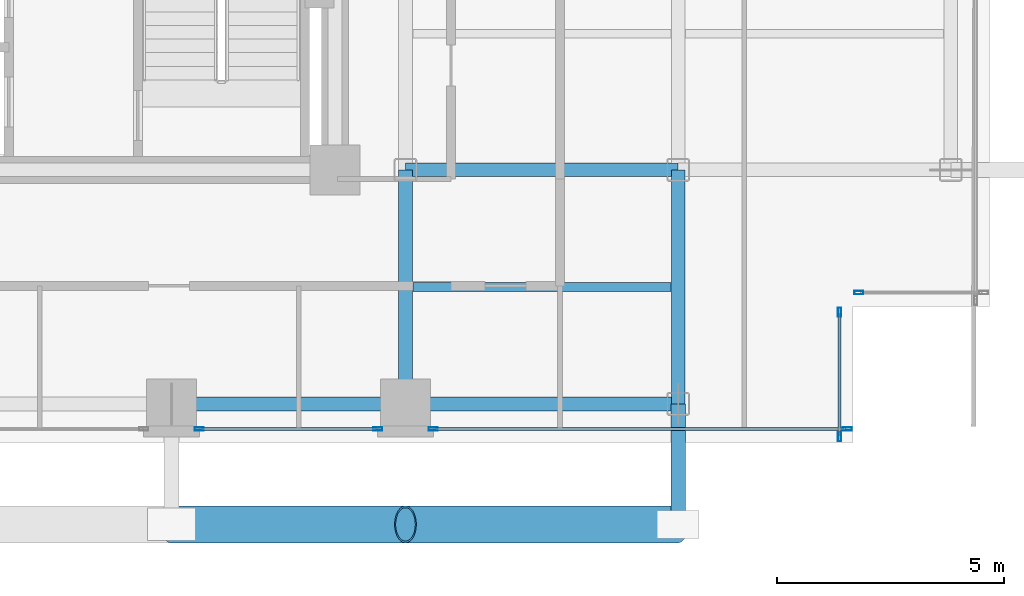
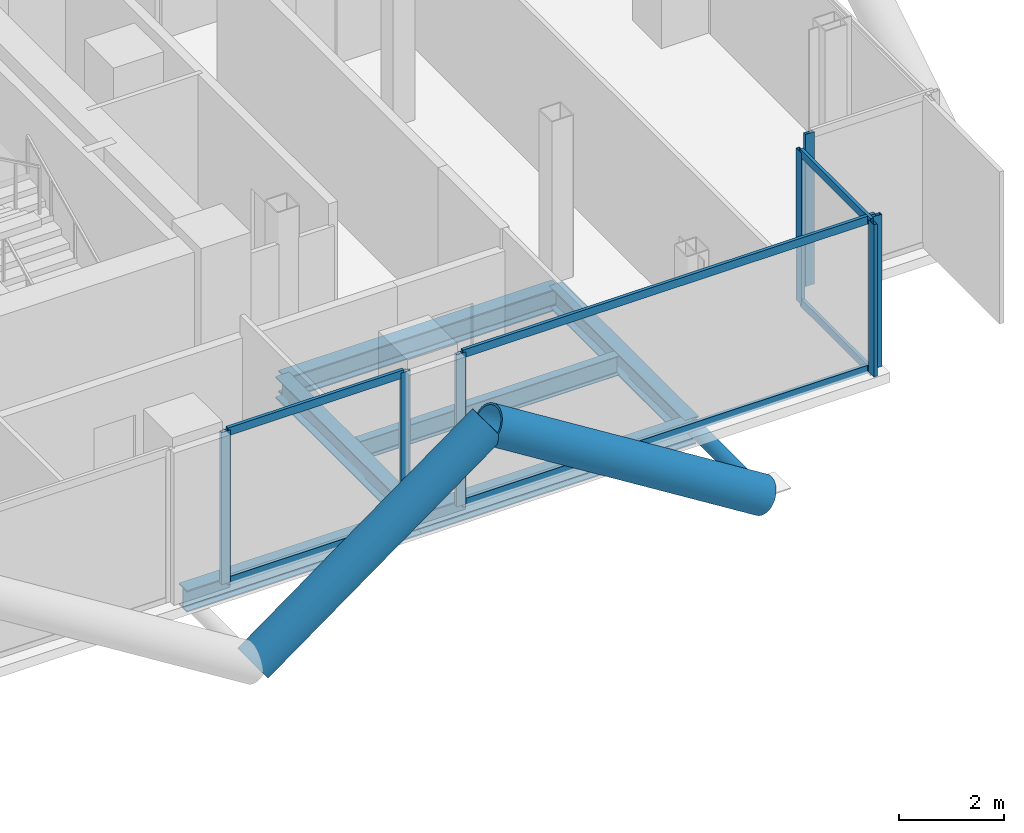
# One storey, part 9 of 24: 16 members, 6 beams, 4 elements without a shape of their own.
"""IFC4 building model written with IfcOpenShell, lengths in metres."""

from ifc_helpers import new_model, si_unit, direction, frame, origin, origin_2d, place, context, subcontext, project, spatial, hollow_rectangle, hollow_circle, i_section, extrude, material, layer, layer_set, material_profile, profile_set, type_object, element, aggregate, save


model = new_model("IFC4")

# Units and contexts
model_context = context("Model", 3, precision=1e-05, world=origin(), true_north=direction((0.0, 1.0)))
body_context = subcontext(model_context, "Body", "Model", "MODEL_VIEW")
ifc_project = project(units=[si_unit("LENGTHUNIT", "METRE"), si_unit("AREAUNIT", "SQUARE_METRE"), si_unit("VOLUMEUNIT", "CUBIC_METRE"), si_unit("PLANEANGLEUNIT", "RADIAN"), si_unit("MASSUNIT", "GRAM", prefix="KILO"), si_unit("THERMODYNAMICTEMPERATUREUNIT", "KELVIN"), si_unit("POWERUNIT", "WATT")], contexts=[model_context])

# Site, building, storey
site_placement = place(None, origin())
site = spatial("IfcSite", under=ifc_project, at=site_placement, CompositionType="ELEMENT")
building_placement = place(site_placement, origin())
building = spatial("IfcBuilding", under=site, at=building_placement, Name="Svarakhadi Broadcast Tower", CompositionType="ELEMENT")
storey_placement = place(building_placement, frame((0.0, 0.0, 141.89990234375)))
storey = spatial("IfcBuildingStorey", under=building, at=storey_placement, Name="L34", CompositionType="ELEMENT", Elevation=141.89990234375)

# Beam
ifc_material_1 = material(Name="Steel S355J2 (IS 2062 E350C)", Category="steel")
ifc_material_profile_1 = material_profile(ifc_material_1, i_section(OverallWidth=0.18994140625, OverallDepth=0.449951171875, WebThickness=0.009521484375, FlangeThickness=0.0146484375, FilletRadius=0.02099609375, at=origin_2d()), Name="NPB 450x190x78")
ifc_profile_set_1 = profile_set([ifc_material_profile_1], Name="Steel S355J2 (IS 2062 E350C)")
beam_type_1 = type_object("IfcBeamType", Name="Beam_NPB450", PredefinedType="BEAM", material=ifc_profile_set_1)
beam_1_placement = place(storey_placement, frame((35.31005859375, 3.425048828125, -0.449951171875), z_axis=(1.0, 0.0, 0.0), x_axis=(0.0, 1.0, 0.0)))
element("IfcBeam", 1, at=beam_1_placement, inside=storey, type_object=beam_type_1, Name="L34 Secondary Composite Beam SB019", PredefinedType="BEAM", context=body_context, shape_type="SweptSolid", body=[
    extrude(i_section(OverallWidth=0.18994140625, OverallDepth=0.449951171875, WebThickness=0.009521484375, FlangeThickness=0.0146484375, FilletRadius=0.02099609375, at=origin_2d()), origin(), (0.0, 0.0, 1.0), 5.679931640625),
])

# Curtain wall, member
ifc_material_2 = material(Name="Anodised Bronze Aluminium AA 6063-T6", Category="aluminium")
ifc_layer = layer(ifc_material_2, 0.199951171875)
ifc_layer_set = layer_set([ifc_layer], Name="Anodised Bronze Aluminium AA 6063-T6")
curtain_wall_type = type_object("IfcCurtainWallType", Name="CW_Sys_03", PredefinedType="NOTDEFINED", material=ifc_layer_set)
curtain_wall_1_placement = place(storey_placement, origin())
curtain_wall_1 = element("IfcCurtainWall", 2, at=curtain_wall_1_placement, inside=storey, type_object=curtain_wall_type, Name="L34 Unitised Facade Curtain Wall 14", PredefinedType="NOTDEFINED")
ifc_material_profile_2 = material_profile(ifc_material_2, hollow_rectangle(XDim=0.074951171875, YDim=0.199951171875, WallThickness=0.005615234375, at=origin_2d()), Name="ALU MULLION 200x75x6")
ifc_profile_set_2 = profile_set([ifc_material_profile_2], Name="Anodised Bronze Aluminium AA 6063-T6")
member_type_1 = type_object("IfcMemberType", Name="CW_Sys_03_Mul", PredefinedType="MULLION", material=ifc_profile_set_2)
member_1_placement = place(storey_placement, frame((45.12744140625, 3.300048828125, 0.0), z_axis=(0.0, 0.0, 1.0), x_axis=(0.0, -1.0, 0.0)))
member_1 = element("IfcMember", 3, at=member_1_placement, type_object=member_type_1, Name="CW-03 mullion 2", PredefinedType="MULLION", context=body_context, shape_type="SweptSolid", body=[
    extrude(hollow_rectangle(XDim=0.074951171875, YDim=0.199951171875, WallThickness=0.005615234375, at=origin_2d()), origin(), (0.0, 0.0, 1.0), 3.525146484375),
])
aggregate(curtain_wall_1, [member_1])

# Curtain wall, members
curtain_wall_2_placement = place(storey_placement, origin())
curtain_wall_2 = element("IfcCurtainWall", 4, at=curtain_wall_2_placement, inside=storey, type_object=curtain_wall_type, Name="L34 Unitised Facade Curtain Wall 15", PredefinedType="NOTDEFINED")
member_2_placement = place(storey_placement, frame((44.699951171875, 2.87255859375, 0.0), z_axis=(0.0, 0.0, 1.0), x_axis=(1.0, 0.0, 0.0)))
member_2 = element("IfcMember", 5, at=member_2_placement, type_object=member_type_1, Name="CW-03 mullion 1", PredefinedType="MULLION", context=body_context, shape_type="SweptSolid", body=[
    extrude(hollow_rectangle(XDim=0.074951171875, YDim=0.199951171875, WallThickness=0.005615234375, at=origin_2d()), origin(), (0.0, 0.0, 1.0), 3.525146484375),
])
member_3_placement = place(storey_placement, frame((44.699951171875, 0.12744140625, 0.0), z_axis=(0.0, 0.0, 1.0), x_axis=(1.0, 0.0, 0.0)))
member_3 = element("IfcMember", 6, at=member_3_placement, type_object=member_type_1, Name="CW-03 mullion 2", PredefinedType="MULLION", context=body_context, shape_type="SweptSolid", body=[
    extrude(hollow_rectangle(XDim=0.074951171875, YDim=0.199951171875, WallThickness=0.005615234375, at=origin_2d()), origin(), (0.0, 0.0, 1.0), 3.525146484375),
])

curtain_wall_3_placement = place(storey_placement, origin())
curtain_wall_3 = element("IfcCurtainWall", 7, at=curtain_wall_3_placement, inside=storey, type_object=curtain_wall_type, Name="L34 South Curtain Wall 16 Bay 1", PredefinedType="NOTDEFINED")
member_4_placement = place(storey_placement, frame((44.87255859375, 0.300048828125, 0.0), z_axis=(0.0, 0.0, 1.0), x_axis=(0.0, -1.0, 0.0)))
member_4 = element("IfcMember", 8, at=member_4_placement, type_object=member_type_1, Name="CW-03 mullion 1", PredefinedType="MULLION", context=body_context, shape_type="SweptSolid", body=[
    extrude(hollow_rectangle(XDim=0.074951171875, YDim=0.199951171875, WallThickness=0.005615234375, at=origin_2d()), origin(), (0.0, 0.0, 1.0), 3.525146484375),
])
member_5_placement = place(storey_placement, frame((35.757568359375, 0.300048828125, 0.0), z_axis=(0.0, 0.0, 1.0), x_axis=(0.0, -1.0, 0.0)))
member_5 = element("IfcMember", 9, at=member_5_placement, type_object=member_type_1, Name="CW-03 mullion 2", PredefinedType="MULLION", context=body_context, shape_type="SweptSolid", body=[
    extrude(hollow_rectangle(XDim=0.074951171875, YDim=0.199951171875, WallThickness=0.005615234375, at=origin_2d()), origin(), (0.0, 0.0, 1.0), 3.525146484375),
])

curtain_wall_4_placement = place(storey_placement, origin())
curtain_wall_4 = element("IfcCurtainWall", 10, at=curtain_wall_4_placement, inside=storey, type_object=curtain_wall_type, Name="L34 South Curtain Wall 16 Bay 2", PredefinedType="NOTDEFINED")
member_6_placement = place(storey_placement, frame((34.54248046875, 0.300048828125, 0.0), z_axis=(0.0, 0.0, 1.0), x_axis=(0.0, -1.0, 0.0)))
member_6 = element("IfcMember", 11, at=member_6_placement, type_object=member_type_1, Name="CW-03 mullion 1", PredefinedType="MULLION", context=body_context, shape_type="SweptSolid", body=[
    extrude(hollow_rectangle(XDim=0.074951171875, YDim=0.199951171875, WallThickness=0.005615234375, at=origin_2d()), origin(), (0.0, 0.0, 1.0), 3.525146484375),
])
member_7_placement = place(storey_placement, frame((30.607421875, 0.300048828125, 0.0), z_axis=(0.0, 0.0, 1.0), x_axis=(0.0, -1.0, 0.0)))
member_7 = element("IfcMember", 12, at=member_7_placement, type_object=member_type_1, Name="CW-03 mullion 2", PredefinedType="MULLION", context=body_context, shape_type="SweptSolid", body=[
    extrude(hollow_rectangle(XDim=0.074951171875, YDim=0.199951171875, WallThickness=0.005615234375, at=origin_2d()), origin(), (0.0, 0.0, 1.0), 3.525146484375),
])

# Member
ifc_material_profile_3 = material_profile(ifc_material_2, hollow_rectangle(XDim=0.070068359375, YDim=0.18505859375, WallThickness=0.0048828125, at=origin_2d()), Name="ALU TRANSOM 185x70x5")
ifc_profile_set_3 = profile_set([ifc_material_profile_3], Name="Anodised Bronze Aluminium AA 6063-T6")
member_type_2 = type_object("IfcMemberType", Name="CW_Sys_03_Trn", PredefinedType="USERDEFINED", material=ifc_profile_set_3)
member_8_placement = place(storey_placement, frame((44.699951171875, 2.8349609375, 0.03515625), z_axis=(0.0, -1.0, 0.0), x_axis=(1.0, 0.0, 0.0)))
member_8 = element("IfcMember", 13, at=member_8_placement, type_object=member_type_2, Name="CW-03 transom 1.1", ObjectType="TRANSOM", PredefinedType="USERDEFINED", context=body_context, shape_type="SweptSolid", body=[
    extrude(hollow_rectangle(XDim=0.070068359375, YDim=0.18505859375, WallThickness=0.0048828125, at=origin_2d()), origin(), (0.0, 0.0, 1.0), 2.669921875),
])

member_9_placement = place(storey_placement, frame((44.699951171875, 2.8349609375, 3.489990234375), z_axis=(0.0, -1.0, 0.0), x_axis=(1.0, 0.0, 0.0)))
member_9 = element("IfcMember", 14, at=member_9_placement, type_object=member_type_2, Name="CW-03 transom 1.2", ObjectType="TRANSOM", PredefinedType="USERDEFINED", context=body_context, shape_type="SweptSolid", body=[
    extrude(hollow_rectangle(XDim=0.070068359375, YDim=0.18505859375, WallThickness=0.0048828125, at=origin_2d()), origin(), (0.0, 0.0, 1.0), 2.669921875),
])

aggregate(curtain_wall_2, [member_2, member_3, member_8, member_9])

member_10_placement = place(storey_placement, frame((44.8349609375, 0.300048828125, 0.03515625), z_axis=(-1.0, 0.0, 0.0), x_axis=(0.0, -1.0, 0.0)))
member_10 = element("IfcMember", 15, at=member_10_placement, type_object=member_type_2, Name="CW-03 transom 1.1", ObjectType="TRANSOM", PredefinedType="USERDEFINED", context=body_context, shape_type="SweptSolid", body=[
    extrude(hollow_rectangle(XDim=0.070068359375, YDim=0.18505859375, WallThickness=0.0048828125, at=origin_2d()), origin(), (0.0, 0.0, 1.0), 9.0400390625),
])

member_11_placement = place(storey_placement, frame((44.8349609375, 0.300048828125, 3.489990234375), z_axis=(-1.0, 0.0, 0.0), x_axis=(0.0, -1.0, 0.0)))
member_11 = element("IfcMember", 16, at=member_11_placement, type_object=member_type_2, Name="CW-03 transom 1.2", ObjectType="TRANSOM", PredefinedType="USERDEFINED", context=body_context, shape_type="SweptSolid", body=[
    extrude(hollow_rectangle(XDim=0.070068359375, YDim=0.18505859375, WallThickness=0.0048828125, at=origin_2d()), origin(), (0.0, 0.0, 1.0), 9.0400390625),
])

aggregate(curtain_wall_3, [member_4, member_5, member_10, member_11])

member_12_placement = place(storey_placement, frame((34.5048828125, 0.300048828125, 0.03515625), z_axis=(-1.0, 0.0, 0.0), x_axis=(0.0, -1.0, 0.0)))
member_12 = element("IfcMember", 17, at=member_12_placement, type_object=member_type_2, Name="CW-03 transom 1.1", ObjectType="TRANSOM", PredefinedType="USERDEFINED", context=body_context, shape_type="SweptSolid", body=[
    extrude(hollow_rectangle(XDim=0.070068359375, YDim=0.18505859375, WallThickness=0.0048828125, at=origin_2d()), origin(), (0.0, 0.0, 1.0), 3.85986328125),
])

member_13_placement = place(storey_placement, frame((34.5048828125, 0.300048828125, 3.489990234375), z_axis=(-1.0, 0.0, 0.0), x_axis=(0.0, -1.0, 0.0)))
member_13 = element("IfcMember", 18, at=member_13_placement, type_object=member_type_2, Name="CW-03 transom 1.2", ObjectType="TRANSOM", PredefinedType="USERDEFINED", context=body_context, shape_type="SweptSolid", body=[
    extrude(hollow_rectangle(XDim=0.070068359375, YDim=0.18505859375, WallThickness=0.0048828125, at=origin_2d()), origin(), (0.0, 0.0, 1.0), 3.85986328125),
])

aggregate(curtain_wall_4, [member_6, member_7, member_12, member_13])

# Members
ifc_material_3 = material(Name="Steel S460ML (IS 2062 E450BR)", Category="steel")
ifc_material_profile_4 = material_profile(ifc_material_3, hollow_circle(Radius=0.406494140625, WallThickness=0.0400390625, at=origin_2d()), Name="CHS 813x40")
ifc_profile_set_4 = profile_set([ifc_material_profile_4], Name="Steel S460ML (IS 2062 E450BR)")
member_type_3 = type_object("IfcMemberType", Name="Exo_Brace_CHS813", PredefinedType="BRACE", material=ifc_profile_set_4)
member_14_placement = place(storey_placement, frame((30.0, -1.800048828125, -0.386962890625), z_axis=(0.808391243061, 0.0, 0.588645562407), x_axis=(0.0, 1.0, 0.0)))
element("IfcMember", 19, at=member_14_placement, inside=storey, type_object=member_type_3, Name="L34 Exposed Bronze Exoskeleton Diagonal S02", PredefinedType="BRACE", context=body_context, shape_type="SweptSolid", body=[
    extrude(hollow_circle(Radius=0.406494140625, WallThickness=0.0400390625, at=origin_2d()), origin(), (0.0, 0.0, 1.0), 6.37060546875),
])
member_15_placement = place(storey_placement, frame((41.14990234375, -1.800048828125, -0.386962890625), z_axis=(-0.847998304005, 0.0, 0.529998940003), x_axis=(0.0, -1.0, 0.0)))
element("IfcMember", 20, at=member_15_placement, inside=storey, type_object=member_type_3, Name="L34 Exposed Bronze Exoskeleton Diagonal S03", PredefinedType="BRACE", context=body_context, shape_type="SweptSolid", body=[
    extrude(hollow_circle(Radius=0.406494140625, WallThickness=0.0400390625, at=origin_2d()), origin(), (0.0, 0.0, 1.0), 7.075439453125),
])
ifc_material_profile_5 = material_profile(ifc_material_3, hollow_circle(Radius=0.161865234375, WallThickness=0.01611328125, at=origin_2d()), Name="CHS 323.9x16")
ifc_profile_set_5 = profile_set([ifc_material_profile_5], Name="Steel S460ML (IS 2062 E450BR)")
member_type_4 = type_object("IfcMemberType", Name="Exo_Radial_Strut_Z2", PredefinedType="STRUT", material=ifc_profile_set_5)
member_16_placement = place(storey_placement, frame((41.14990234375, -1.800048828125, -0.386962890625), z_axis=(0.0, 1.0, 0.0), x_axis=(-1.0, 0.0, 0.0)))
element("IfcMember", 21, at=member_16_placement, inside=storey, type_object=member_type_4, Name="L34 Exoskeleton Radial Tie Strut S04", PredefinedType="STRUT", context=body_context, shape_type="SweptSolid", body=[
    extrude(hollow_circle(Radius=0.161865234375, WallThickness=0.01611328125, at=origin_2d()), origin(), (0.0, 0.0, 1.0), 2.650146484375),
])

# Beams
ifc_material_profile_6 = material_profile(ifc_material_1, i_section(OverallWidth=0.300048828125, OverallDepth=0.5, WebThickness=0.014404296875, FlangeThickness=0.028076171875, FilletRadius=0.027099609375, at=origin_2d()), Name="WPB 500x300x187")
ifc_profile_set_6 = profile_set([ifc_material_profile_6], Name="Steel S355J2 (IS 2062 E350C)")
beam_type_2 = type_object("IfcBeamType", Name="Girder_WPB500", PredefinedType="USERDEFINED", material=ifc_profile_set_6)
beam_2_placement = place(storey_placement, frame((30.0, 0.85009765625, -0.474853515625), z_axis=(1.0, 0.0, 0.0), x_axis=(0.0, 1.0, 0.0)))
element("IfcBeam", 22, at=beam_2_placement, inside=storey, type_object=beam_type_2, Name="L34 Primary E-W Girder G008", ObjectType="GIRDER", PredefinedType="USERDEFINED", context=body_context, shape_type="SweptSolid", body=[
    extrude(i_section(OverallWidth=0.300048828125, OverallDepth=0.5, WebThickness=0.014404296875, FlangeThickness=0.028076171875, FilletRadius=0.027099609375, at=origin_2d()), origin(), (0.0, 0.0, 1.0), 5.14990234375),
])
for number, where, z_axis, x_axis, name in (
    (23, (35.14990234375, 0.85009765625, -0.474853515625), (1.0, 0.0, 0.0), (0.0, 1.0, 0.0), "L34 Primary E-W Girder G009"),
    (24, (35.14990234375, 6.0, -0.474853515625), (1.0, 0.0, 0.0), (0.0, 1.0, 0.0), "L34 Primary E-W Girder G015"),
):
    element("IfcBeam", number, at=place(storey_placement, frame(where, z_axis=z_axis, x_axis=x_axis)), inside=storey, type_object=beam_type_2, Name=name, ObjectType="GIRDER", PredefinedType="USERDEFINED", context=body_context, shape_type="SweptSolid", body=[
        extrude(i_section(OverallWidth=0.300048828125, OverallDepth=0.5, WebThickness=0.014404296875, FlangeThickness=0.028076171875, FilletRadius=0.027099609375, at=origin_2d()), origin(), (0.0, 0.0, 1.0), 6.0),
    ])
for number, where, z_axis, x_axis, name in (
    (25, (35.14990234375, 0.85009765625, -0.474853515625), (0.0, 1.0, 0.0), (-1.0, 0.0, 0.0), "L34 Primary N-S Girder G067"),
    (26, (41.14990234375, 0.85009765625, -0.474853515625), (0.0, 1.0, 0.0), (-1.0, 0.0, 0.0), "L34 Primary N-S Girder G070"),
):
    element("IfcBeam", number, at=place(storey_placement, frame(where, z_axis=z_axis, x_axis=x_axis)), inside=storey, type_object=beam_type_2, Name=name, ObjectType="GIRDER", PredefinedType="USERDEFINED", context=body_context, shape_type="SweptSolid", body=[
        extrude(i_section(OverallWidth=0.300048828125, OverallDepth=0.5, WebThickness=0.014404296875, FlangeThickness=0.028076171875, FilletRadius=0.027099609375, at=origin_2d()), origin(), (0.0, 0.0, 1.0), 5.14990234375),
    ])

save(model, "model.ifc")
